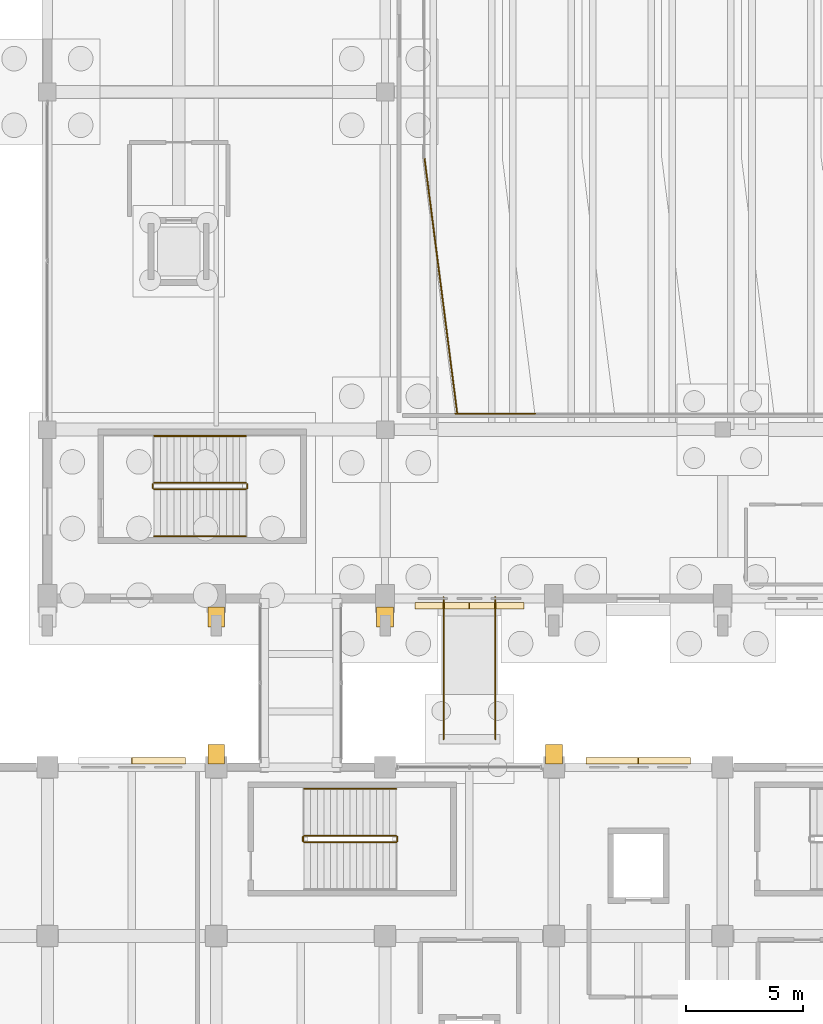
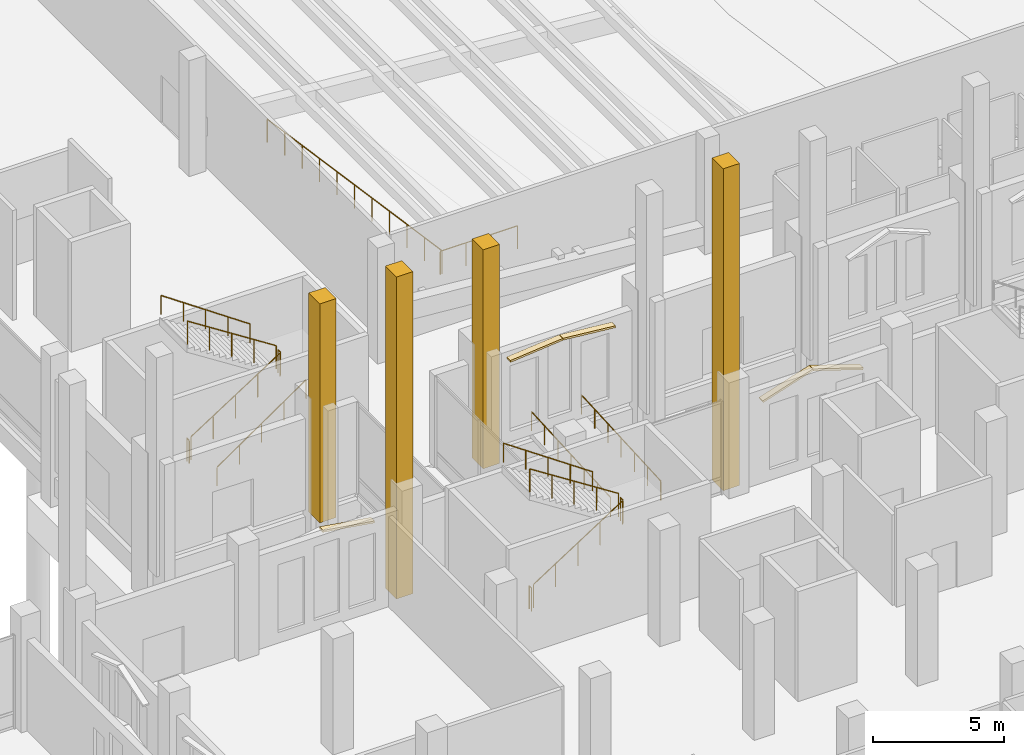
# One storey, part 179 of 192: 15 railings, 9 coverings.
"""IFC4 building model written with IfcOpenShell, lengths in metres."""

from ifc_helpers import new_model, si_unit, direction, frame, origin, origin_2d, place, context, subcontext, project, spatial, polyline, circle, outline, extrude, material, layer, layer_set, type_object, element, save


model = new_model("IFC4")

# Units and contexts
model_context = context("Model", 3, precision=1e-05, world=origin(), true_north=direction((0.0, 1.0)))
body_context = subcontext(model_context, "Body", "Model", "MODEL_VIEW")
ifc_project = project(units=[si_unit("LENGTHUNIT", "METRE"), si_unit("AREAUNIT", "SQUARE_METRE"), si_unit("VOLUMEUNIT", "CUBIC_METRE"), si_unit("PLANEANGLEUNIT", "RADIAN"), si_unit("MASSUNIT", "GRAM", prefix="KILO")], contexts=[model_context])

# Site, building, storey
site_placement = place(None, origin())
site = spatial("IfcSite", under=ifc_project, at=site_placement, CompositionType="ELEMENT")
building_placement = place(site_placement, origin())
building = spatial("IfcBuilding", under=site, at=building_placement, Name="Cendralis Lancet Convention Centre", CompositionType="ELEMENT")
storey_placement = place(building_placement, origin())
storey = spatial("IfcBuildingStorey", under=building, at=storey_placement, Name="L00", CompositionType="ELEMENT", Elevation=0.0)

# Coverings
ifc_material_1 = material(Name="Warm buff sandstone chevron cassette", Category="masonry")
ifc_layer = layer(ifc_material_1, 0.06005859375, Name="Warm buff sandstone chevron cassette")
ifc_layer_set = layer_set([ifc_layer], Name="Warm buff sandstone chevron cassette")
covering_type = type_object("IfcCoveringType", Name="ARC-CV-CLAD1", PredefinedType="CLADDING", material=ifc_layer_set)
for number, where, z_axis, x_axis, name in (
    (1, (159.52001953125, 42.75, 4.0), (0.096983060843, 0.0, 0.995286032209), (0.0, 1.0, 0.0), "L00 Gothic Pointed Lancet Hood-Mould #0073L"),
    (2, (157.18994140625, 42.75, 4.22509765625), (-0.096983060843, 0.0, 0.995286032209), (0.0, 1.0, 0.0), "L00 Gothic Pointed Lancet Hood-Mould #0074R"),
):
    element("IfcCovering", number, at=place(storey_placement, frame(where, z_axis=z_axis, x_axis=x_axis)), inside=storey, type_object=covering_type, Name=name, PredefinedType="CLADDING", context=body_context, shape_type="SweptSolid", body=[
        extrude(outline(polyline([(0.0, 0.0), (0.284912109375, 0.0), (0.284912109375, 2.3209997116345082), (0.0, 2.3209997116345082), (0.0, 0.0)])), origin(), (0.0, 0.0, -1.0), 0.090087890625),
    ])
covering_1_placement = place(storey_placement, origin())
element("IfcCovering", 3, at=covering_1_placement, inside=storey, type_object=covering_type, Name="Gothic Stepped Stone Buttress Base #0033", PredefinedType="CLADDING", context=body_context, shape_type="SweptSolid", body=[
    extrude(outline(polyline([(146.0400390625, 41.97998046875), (146.760009765625, 41.97998046875), (146.760009765625, 42.830078125), (146.0400390625, 42.830078125), (146.0400390625, 41.97998046875)])), origin(), (0.0, 0.0, 1.0), 10.199951171875),
])
covering_2_placement = place(storey_placement, origin())
element("IfcCovering", 4, at=covering_2_placement, inside=storey, type_object=covering_type, Name="Gothic Stepped Stone Buttress Base #0035", PredefinedType="CLADDING", context=body_context, shape_type="SweptSolid", body=[
    extrude(outline(polyline([(153.239990234375, 41.97998046875), (153.9599609375, 41.97998046875), (153.9599609375, 42.830078125), (153.239990234375, 42.830078125), (153.239990234375, 41.97998046875)])), origin(), (0.0, 0.0, 1.0), 10.199951171875),
])
covering_3_placement = place(storey_placement, frame((142.81005859375, 36.419921875, 4.324951171875), z_axis=(0.154500054002, 0.0, 0.987992779991), x_axis=(0.0, -1.0, 0.0)))
element("IfcCovering", 5, at=covering_3_placement, inside=storey, type_object=covering_type, Name="L00 Gothic Pointed Lancet Hood-Mould #0304R", PredefinedType="CLADDING", context=body_context, shape_type="SweptSolid", body=[
    extrude(outline(polyline([(0.0, 0.0), (0.284912109375, 0.0), (0.284912109375, 2.2976074089039753), (0.0, 2.2976074089039753), (0.0, 0.0)])), origin(), (0.0, 0.0, -1.0), 0.090087890625),
])
covering_4_placement = place(storey_placement, frame((162.179931640625, 36.419921875, 3.570068359375), z_axis=(-0.309760525415, 0.0, 0.950814607005), x_axis=(0.0, -1.0, 0.0)))
element("IfcCovering", 6, at=covering_4_placement, inside=storey, type_object=covering_type, Name="L00 Gothic Pointed Lancet Hood-Mould #0305L", PredefinedType="CLADDING", context=body_context, shape_type="SweptSolid", body=[
    extrude(outline(polyline([(0.0, 0.0), (0.284912109375, 0.0), (0.284912109375, 2.3242816435695106), (0.0, 2.3242816435695106), (0.0, 0.0)])), origin(), (0.0, 0.0, -1.0), 0.090087890625),
])
covering_5_placement = place(storey_placement, frame((164.409912109375, 36.419921875, 4.2900390625), z_axis=(0.309729591695, 0.0, 0.950824684171), x_axis=(0.0, -1.0, 0.0)))
element("IfcCovering", 7, at=covering_5_placement, inside=storey, type_object=covering_type, Name="L00 Gothic Pointed Lancet Hood-Mould #0306R", PredefinedType="CLADDING", context=body_context, shape_type="SweptSolid", body=[
    extrude(outline(polyline([(0.0, 0.0), (0.284912109375, 0.0), (0.284912109375, 2.324513777272108), (0.0, 2.324513777272108), (0.0, 0.0)])), origin(), (0.0, 0.0, -1.0), 0.090087890625),
])
covering_6_placement = place(storey_placement, origin())
element("IfcCovering", 8, at=covering_6_placement, inside=storey, type_object=covering_type, Name="Gothic Stepped Stone Buttress Base #0081", PredefinedType="CLADDING", context=body_context, shape_type="SweptSolid", body=[
    extrude(outline(polyline([(146.760009765625, 36.97998046875), (146.0400390625, 36.97998046875), (146.0400390625, 36.1298828125), (146.760009765625, 36.1298828125), (146.760009765625, 36.97998046875)])), origin(), (0.0, 0.0, 1.0), 15.0),
])
covering_7_placement = place(storey_placement, origin())
element("IfcCovering", 9, at=covering_7_placement, inside=storey, type_object=covering_type, Name="Gothic Stepped Stone Buttress Base #0082", PredefinedType="CLADDING", context=body_context, shape_type="SweptSolid", body=[
    extrude(outline(polyline([(161.159912109375, 36.97998046875), (160.43994140625, 36.97998046875), (160.43994140625, 36.1298828125), (161.159912109375, 36.1298828125), (161.159912109375, 36.97998046875)])), origin(), (0.0, 0.0, 1.0), 15.0),
])

# Railings
ifc_material_2 = material(Name="Steel S355", Category="steel")
railing_type_1 = type_object("IfcRailingType", Name="ARC-RL-CGD", PredefinedType="GUARDRAIL", material=ifc_material_2)
railing_1_placement = place(storey_placement, frame((143.75, 47.85009765625, 0.179931640625)))
element("IfcRailing", 10, at=railing_1_placement, inside=storey, type_object=railing_type_1, Name="L00 ST-08 stair guard 1", PredefinedType="GUARDRAIL", context=body_context, shape_type="SweptSolid", body=[
    extrude(circle(Radius=0.02392578125, at=origin_2d()), frame((0.0, 0.0, 1.076171875), z_axis=(0.841171666519, 0.0, 0.540768182723), x_axis=(0.0, 1.0, 0.0)), (0.0, 0.0, 1.0), 4.66015625),
    extrude(circle(Radius=0.02099609375, at=origin_2d()), origin(), (0.0, 0.0, 1.0), 1.052001953125),
    extrude(circle(Radius=0.02099609375, at=origin_2d()), frame((0.97998046875, 0.0, 0.6298828125)), (0.0, 0.0, 1.0), 1.052001953125),
    extrude(circle(Radius=0.02099609375, at=origin_2d()), frame((1.9599609375, 0.0, 1.260009765625)), (0.0, 0.0, 1.0), 1.052001953125),
    extrude(circle(Radius=0.02099609375, at=origin_2d()), frame((2.93994140625, 0.0, 1.89013671875)), (0.0, 0.0, 1.0), 1.052001953125),
    extrude(circle(Radius=0.02099609375, at=origin_2d()), frame((3.919921875, 0.0, 2.52001953125)), (0.0, 0.0, 1.0), 1.052001953125),
])
railing_2_placement = place(storey_placement, frame((147.719970703125, 47.89990234375, 2.699951171875)))
element("IfcRailing", 11, at=railing_2_placement, inside=storey, type_object=railing_type_1, Name="L00 ST-08 stair guard 2", PredefinedType="GUARDRAIL", context=body_context, shape_type="SweptSolid", body=[
    extrude(circle(Radius=0.02392578125, at=origin_2d()), frame((0.0, 0.0, 1.076171875), z_axis=(0.0, 1.0, 0.0), x_axis=(-1.0, 0.0, 0.0)), (0.0, 0.0, 1.0), 0.18017578125),
    extrude(circle(Radius=0.02099609375, at=origin_2d()), origin(), (0.0, 0.0, 1.0), 1.052001953125),
    extrude(circle(Radius=0.02099609375, at=origin_2d()), frame((0.0, 0.18017578125, 0.0)), (0.0, 0.0, 1.0), 1.052001953125),
])
railing_3_placement = place(storey_placement, frame((147.669921875, 48.1298828125, 2.8798828125)))
element("IfcRailing", 12, at=railing_3_placement, inside=storey, type_object=railing_type_1, Name="L00 ST-08 stair guard 3", PredefinedType="GUARDRAIL", context=body_context, shape_type="SweptSolid", body=[
    extrude(circle(Radius=0.02392578125, at=origin_2d()), frame((0.0, 0.0, 1.076171875), z_axis=(-0.841171666519, 0.0, 0.540768182723), x_axis=(0.0, -1.0, 0.0)), (0.0, 0.0, 1.0), 4.66015625),
    extrude(circle(Radius=0.02099609375, at=origin_2d()), origin(), (0.0, 0.0, 1.0), 1.052001953125),
    extrude(circle(Radius=0.02099609375, at=origin_2d()), frame((-0.97998046875, 0.0, 0.6298828125)), (0.0, 0.0, 1.0), 1.052001953125),
    extrude(circle(Radius=0.02099609375, at=origin_2d()), frame((-1.9599609375, 0.0, 1.260009765625)), (0.0, 0.0, 1.0), 1.052001953125),
    extrude(circle(Radius=0.02099609375, at=origin_2d()), frame((-2.93994140625, 0.0, 1.89013671875)), (0.0, 0.0, 1.0), 1.052001953125),
    extrude(circle(Radius=0.02099609375, at=origin_2d()), frame((-3.919921875, 0.0, 2.52001953125)), (0.0, 0.0, 1.0), 1.052001953125),
])
railing_4_placement = place(storey_placement, frame((143.699951171875, 47.89990234375, 0.0)))
element("IfcRailing", 13, at=railing_4_placement, inside=storey, type_object=railing_type_1, Name="L00 ST-08 stair guard 4", PredefinedType="GUARDRAIL", context=body_context, shape_type="SweptSolid", body=[
    extrude(circle(Radius=0.02392578125, at=origin_2d()), frame((0.0, 0.0, 1.076171875), z_axis=(0.0, 1.0, 0.0), x_axis=(-1.0, 0.0, 0.0)), (0.0, 0.0, 1.0), 0.18017578125),
    extrude(circle(Radius=0.02099609375, at=origin_2d()), origin(), (0.0, 0.0, 1.0), 1.052001953125),
    extrude(circle(Radius=0.02099609375, at=origin_2d()), frame((0.0, 0.18017578125, 0.0)), (0.0, 0.0, 1.0), 1.052001953125),
])
railing_5_placement = place(storey_placement, frame((150.14990234375, 32.800048828125, 0.179931640625)))
element("IfcRailing", 14, at=railing_5_placement, inside=storey, type_object=railing_type_1, Name="L00 ST-13 stair guard 1", PredefinedType="GUARDRAIL", context=body_context, shape_type="SweptSolid", body=[
    extrude(circle(Radius=0.02392578125, at=origin_2d()), frame((0.0, 0.0, 1.076171875), z_axis=(0.841186985886, 0.0, 0.540744352514), x_axis=(0.0, 1.0, 0.0)), (0.0, 0.0, 1.0), 4.660400390625),
    extrude(circle(Radius=0.02099609375, at=origin_2d()), origin(), (0.0, 0.0, 1.0), 1.052001953125),
    extrude(circle(Radius=0.02099609375, at=origin_2d()), frame((0.97998046875, 0.0, 0.6298828125)), (0.0, 0.0, 1.0), 1.052001953125),
    extrude(circle(Radius=0.02099609375, at=origin_2d()), frame((1.9599609375, 0.0, 1.260009765625)), (0.0, 0.0, 1.0), 1.052001953125),
    extrude(circle(Radius=0.02099609375, at=origin_2d()), frame((2.940185546875, 0.0, 1.89013671875)), (0.0, 0.0, 1.0), 1.052001953125),
    extrude(circle(Radius=0.02099609375, at=origin_2d()), frame((3.920166015625, 0.0, 2.52001953125)), (0.0, 0.0, 1.0), 1.052001953125),
])
railing_6_placement = place(storey_placement, frame((154.1201171875, 32.85009765625, 2.699951171875)))
element("IfcRailing", 15, at=railing_6_placement, inside=storey, type_object=railing_type_1, Name="L00 ST-13 stair guard 2", PredefinedType="GUARDRAIL", context=body_context, shape_type="SweptSolid", body=[
    extrude(circle(Radius=0.02392578125, at=origin_2d()), frame((0.0, 0.0, 1.076171875), z_axis=(0.0, 1.0, 0.0), x_axis=(-1.0, 0.0, 0.0)), (0.0, 0.0, 1.0), 0.179931640625),
    extrude(circle(Radius=0.02099609375, at=origin_2d()), origin(), (0.0, 0.0, 1.0), 1.052001953125),
    extrude(circle(Radius=0.02099609375, at=origin_2d()), frame((0.0, 0.179931640625, 0.0)), (0.0, 0.0, 1.0), 1.052001953125),
])
railing_7_placement = place(storey_placement, frame((154.070068359375, 33.080078125, 2.8798828125)))
element("IfcRailing", 16, at=railing_7_placement, inside=storey, type_object=railing_type_1, Name="L00 ST-13 stair guard 3", PredefinedType="GUARDRAIL", context=body_context, shape_type="SweptSolid", body=[
    extrude(circle(Radius=0.02392578125, at=origin_2d()), frame((0.0, 0.0, 1.076171875), z_axis=(-0.841186985886, 0.0, 0.540744352514), x_axis=(0.0, -1.0, 0.0)), (0.0, 0.0, 1.0), 4.660400390625),
    extrude(circle(Radius=0.02099609375, at=origin_2d()), origin(), (0.0, 0.0, 1.0), 1.052001953125),
    extrude(circle(Radius=0.02099609375, at=origin_2d()), frame((-0.97998046875, 0.0, 0.6298828125)), (0.0, 0.0, 1.0), 1.052001953125),
    extrude(circle(Radius=0.02099609375, at=origin_2d()), frame((-1.9599609375, 0.0, 1.260009765625)), (0.0, 0.0, 1.0), 1.052001953125),
    extrude(circle(Radius=0.02099609375, at=origin_2d()), frame((-2.940185546875, 0.0, 1.89013671875)), (0.0, 0.0, 1.0), 1.052001953125),
    extrude(circle(Radius=0.02099609375, at=origin_2d()), frame((-3.920166015625, 0.0, 2.52001953125)), (0.0, 0.0, 1.0), 1.052001953125),
])
railing_8_placement = place(storey_placement, frame((150.10009765625, 32.85009765625, 0.0)))
element("IfcRailing", 17, at=railing_8_placement, inside=storey, type_object=railing_type_1, Name="L00 ST-13 stair guard 4", PredefinedType="GUARDRAIL", context=body_context, shape_type="SweptSolid", body=[
    extrude(circle(Radius=0.02392578125, at=origin_2d()), frame((0.0, 0.0, 1.076171875), z_axis=(0.0, 1.0, 0.0), x_axis=(-1.0, 0.0, 0.0)), (0.0, 0.0, 1.0), 0.179931640625),
    extrude(circle(Radius=0.02099609375, at=origin_2d()), origin(), (0.0, 0.0, 1.0), 1.052001953125),
    extrude(circle(Radius=0.02099609375, at=origin_2d()), frame((0.0, 0.179931640625, 0.0)), (0.0, 0.0, 1.0), 1.052001953125),
])
railing_type_2 = type_object("IfcRailingType", Name="ARC-RL-CHR", PredefinedType="HANDRAIL", material=ifc_material_2)
railing_9_placement = place(storey_placement, frame((143.75, 45.85009765625, 0.179931640625)))
element("IfcRailing", 18, at=railing_9_placement, inside=storey, type_object=railing_type_2, Name="L00 ST-08 stair handrail 1", PredefinedType="HANDRAIL", context=body_context, shape_type="SweptSolid", body=[
    extrude(circle(Radius=0.02392578125, at=origin_2d()), frame((0.0, 0.0, 0.8759765625), z_axis=(0.823550731654, 0.0, 0.567242622158), x_axis=(0.0, 1.0, 0.0)), (0.0, 0.0, 1.0), 4.759765625),
    extrude(circle(Radius=0.02099609375, at=origin_2d()), origin(), (0.0, 0.0, 1.0), 0.851806640625),
    extrude(circle(Radius=0.02099609375, at=origin_2d()), frame((0.97998046875, 0.0, 0.675048828125)), (0.0, 0.0, 1.0), 0.851806640625),
    extrude(circle(Radius=0.02099609375, at=origin_2d()), frame((1.9599609375, 0.0, 1.35009765625)), (0.0, 0.0, 1.0), 0.851806640625),
    extrude(circle(Radius=0.02099609375, at=origin_2d()), frame((2.93994140625, 0.0, 2.02490234375)), (0.0, 0.0, 1.0), 0.851806640625),
    extrude(circle(Radius=0.02099609375, at=origin_2d()), frame((3.919921875, 0.0, 2.699951171875)), (0.0, 0.0, 1.0), 0.851806640625),
])
railing_10_placement = place(storey_placement, frame((147.669921875, 50.1298828125, 2.8798828125)))
element("IfcRailing", 19, at=railing_10_placement, inside=storey, type_object=railing_type_2, Name="L00 ST-08 stair handrail 2", PredefinedType="HANDRAIL", context=body_context, shape_type="SweptSolid", body=[
    extrude(circle(Radius=0.02392578125, at=origin_2d()), frame((0.0, 0.0, 0.8759765625), z_axis=(-0.823526770215, 0.0, 0.56727740898), x_axis=(0.0, -1.0, 0.0)), (0.0, 0.0, 1.0), 4.760009765625),
    extrude(circle(Radius=0.02099609375, at=origin_2d()), origin(), (0.0, 0.0, 1.0), 0.851806640625),
    extrude(circle(Radius=0.02099609375, at=origin_2d()), frame((-0.97998046875, 0.0, 0.675048828125)), (0.0, 0.0, 1.0), 0.851806640625),
    extrude(circle(Radius=0.02099609375, at=origin_2d()), frame((-1.9599609375, 0.0, 1.35009765625)), (0.0, 0.0, 1.0), 0.851806640625),
    extrude(circle(Radius=0.02099609375, at=origin_2d()), frame((-2.93994140625, 0.0, 2.025146484375)), (0.0, 0.0, 1.0), 0.851806640625),
    extrude(circle(Radius=0.02099609375, at=origin_2d()), frame((-3.919921875, 0.0, 2.7001953125)), (0.0, 0.0, 1.0), 0.851806640625),
])
railing_11_placement = place(storey_placement, frame((154.070068359375, 35.080078125, 2.8798828125)))
element("IfcRailing", 20, at=railing_11_placement, inside=storey, type_object=railing_type_2, Name="L00 ST-13 stair handrail 2", PredefinedType="HANDRAIL", context=body_context, shape_type="SweptSolid", body=[
    extrude(circle(Radius=0.02392578125, at=origin_2d()), frame((0.0, 0.0, 0.8759765625), z_axis=(-0.82354327477, 0.0, 0.567253448276), x_axis=(0.0, -1.0, 0.0)), (0.0, 0.0, 1.0), 4.760009765625),
    extrude(circle(Radius=0.02099609375, at=origin_2d()), origin(), (0.0, 0.0, 1.0), 0.851806640625),
    extrude(circle(Radius=0.02099609375, at=origin_2d()), frame((-0.97998046875, 0.0, 0.675048828125)), (0.0, 0.0, 1.0), 0.851806640625),
    extrude(circle(Radius=0.02099609375, at=origin_2d()), frame((-1.9599609375, 0.0, 1.35009765625)), (0.0, 0.0, 1.0), 0.851806640625),
    extrude(circle(Radius=0.02099609375, at=origin_2d()), frame((-2.940185546875, 0.0, 2.025146484375)), (0.0, 0.0, 1.0), 0.851806640625),
    extrude(circle(Radius=0.02099609375, at=origin_2d()), frame((-3.920166015625, 0.0, 2.7001953125)), (0.0, 0.0, 1.0), 0.851806640625),
])
ifc_material_3 = material(Name="Anodised bronze architectural aluminium", Category="aluminium")
railing_type_3 = type_object("IfcRailingType", Name="ARC-RL-HR01", PredefinedType="HANDRAIL", material=ifc_material_3)
for number, where, name in (
    (21, (158.303955078125, 37.199951171875, -0.340087890625), "Accessible Plenary Promenade Ramp RP-03 Handrail L"),
    (22, (156.095947265625, 37.199951171875, -0.340087890625), "Accessible Plenary Promenade Ramp RP-03 Handrail R"),
):
    element("IfcRailing", number, at=place(storey_placement, frame(where)), inside=storey, type_object=railing_type_3, Name=name, PredefinedType="HANDRAIL", context=body_context, shape_type="SweptSolid", body=[
        extrude(circle(Radius=0.02392578125, at=origin_2d()), frame((0.0, 0.0, 0.89599609375), z_axis=(0.0, 0.998423816253, 0.056123819702), x_axis=(-1.0, 0.0, 0.0)), (0.0, 0.0, 1.0), 6.0595703125),
        extrude(circle(Radius=0.02099609375, at=origin_2d()), origin(), (0.0, 0.0, 1.0), 0.871826171875),
        extrude(circle(Radius=0.02099609375, at=origin_2d()), frame((0.0, 1.00830078125, 0.056640625)), (0.0, 0.0, 1.0), 0.871826171875),
        extrude(circle(Radius=0.02099609375, at=origin_2d()), frame((0.0, 2.0166015625, 0.11328125)), (0.0, 0.0, 1.0), 0.871826171875),
        extrude(circle(Radius=0.02099609375, at=origin_2d()), frame((0.0, 3.02490234375, 0.169921875)), (0.0, 0.0, 1.0), 0.871826171875),
        extrude(circle(Radius=0.02099609375, at=origin_2d()), frame((0.0, 4.033447265625, 0.226806640625)), (0.0, 0.0, 1.0), 0.871826171875),
        extrude(circle(Radius=0.02099609375, at=origin_2d()), frame((0.0, 5.041748046875, 0.283447265625)), (0.0, 0.0, 1.0), 0.871826171875),
        extrude(circle(Radius=0.02099609375, at=origin_2d()), frame((0.0, 6.050048828125, 0.340087890625)), (0.0, 0.0, 1.0), 0.871826171875),
    ])
railing_type_4 = type_object("IfcRailingType", Name="ARC-RL-IG01", PredefinedType="GUARDRAIL", material=ifc_material_2)
railing_12_placement = place(storey_placement, frame((156.60009765625, 51.080078125, 2.360107421875)))
element("IfcRailing", 23, at=railing_12_placement, inside=storey, type_object=railing_type_4, Name="Plenary Lower Stand Side Crowd Guardrail #045", PredefinedType="GUARDRAIL", context=body_context, shape_type="SweptSolid", body=[
    extrude(circle(Radius=0.02392578125, at=origin_2d()), frame((0.0, 0.0, 1.076171875), z_axis=(1.0, 0.0, 0.0), x_axis=(0.0, 1.0, 0.0)), (0.0, 0.0, 1.0), 3.39990234375),
    extrude(circle(Radius=0.02099609375, at=origin_2d()), origin(), (0.0, 0.0, 1.0), 1.052001953125),
    extrude(circle(Radius=0.02099609375, at=origin_2d()), frame((1.13330078125, 0.0, 0.0)), (0.0, 0.0, 1.0), 1.052001953125),
    extrude(circle(Radius=0.02099609375, at=origin_2d()), frame((2.2666015625, 0.0, 0.0)), (0.0, 0.0, 1.0), 1.052001953125),
    extrude(circle(Radius=0.02099609375, at=origin_2d()), frame((3.39990234375, 0.0, 0.0)), (0.0, 0.0, 1.0), 1.052001953125),
])
railing_13_placement = place(storey_placement, frame((156.679931640625, 51.080078125, 2.360107421875)))
element("IfcRailing", 24, at=railing_13_placement, inside=storey, type_object=railing_type_4, Name="Plenary Lower Stand Rear Crowd Guardrail #047", PredefinedType="GUARDRAIL", context=body_context, shape_type="SweptSolid", body=[
    extrude(circle(Radius=0.02392578125, at=origin_2d()), frame((0.0, 0.0, 1.076171875), z_axis=(-0.127156484138, 0.991882668737, 0.0), x_axis=(-0.991882668737, -0.127156484138, 0.0)), (0.0, 0.0, 1.0), 11.00927734375),
    extrude(circle(Radius=0.02099609375, at=origin_2d()), origin(), (0.0, 0.0, 1.0), 1.052001953125),
    extrude(circle(Radius=0.02099609375, at=origin_2d()), frame((-0.139892578125, 1.092041015625, 0.0)), (0.0, 0.0, 1.0), 1.052001953125),
    extrude(circle(Radius=0.02099609375, at=origin_2d()), frame((-0.280029296875, 2.18408203125, 0.0)), (0.0, 0.0, 1.0), 1.052001953125),
    extrude(circle(Radius=0.02099609375, at=origin_2d()), frame((-0.419921875, 3.27587890625, 0.0)), (0.0, 0.0, 1.0), 1.052001953125),
    extrude(circle(Radius=0.02099609375, at=origin_2d()), frame((-0.56005859375, 4.367919921875, 0.0)), (0.0, 0.0, 1.0), 1.052001953125),
    extrude(circle(Radius=0.02099609375, at=origin_2d()), frame((-0.699951171875, 5.4599609375, 0.0)), (0.0, 0.0, 1.0), 1.052001953125),
    extrude(circle(Radius=0.02099609375, at=origin_2d()), frame((-0.83984375, 6.552001953125, 0.0)), (0.0, 0.0, 1.0), 1.052001953125),
    extrude(circle(Radius=0.02099609375, at=origin_2d()), frame((-0.97998046875, 7.64404296875, 0.0)), (0.0, 0.0, 1.0), 1.052001953125),
    extrude(circle(Radius=0.02099609375, at=origin_2d()), frame((-1.119873046875, 8.73583984375, 0.0)), (0.0, 0.0, 1.0), 1.052001953125),
    extrude(circle(Radius=0.02099609375, at=origin_2d()), frame((-1.260009765625, 9.827880859375, 0.0)), (0.0, 0.0, 1.0), 1.052001953125),
    extrude(circle(Radius=0.02099609375, at=origin_2d()), frame((-1.39990234375, 10.919921875, 0.0)), (0.0, 0.0, 1.0), 1.052001953125),
])

save(model, "model.ifc")
